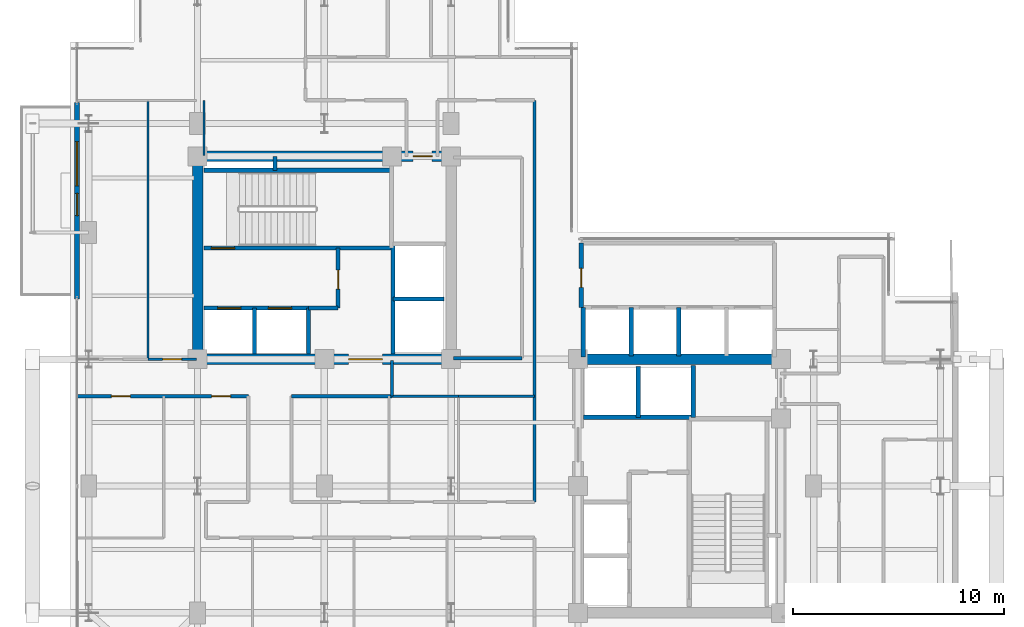
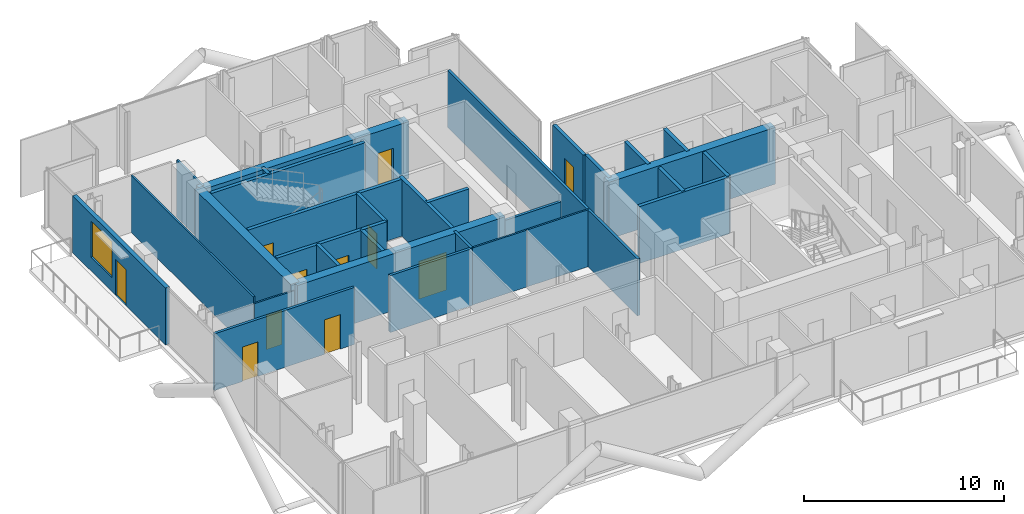
# One storey, part 21 of 26: 32 walls, 11 doors, 1 window, 12 openings.
"""IFC4 building model written with IfcOpenShell, lengths in metres."""

from ifc_helpers import new_model, si_unit, direction, frame, frame_2d, origin, place, context, subcontext, project, spatial, rectangle, extrude, material, layer, layer_set, type_object, element, fill, save


model = new_model("IFC4")

# Units and contexts
model_context = context("Model", 3, precision=1e-05, world=origin(), true_north=direction((0.0, 1.0)))
body_context = subcontext(model_context, "Body", "Model", "MODEL_VIEW")
ifc_project = project(units=[si_unit("LENGTHUNIT", "METRE"), si_unit("AREAUNIT", "SQUARE_METRE"), si_unit("VOLUMEUNIT", "CUBIC_METRE"), si_unit("PLANEANGLEUNIT", "RADIAN"), si_unit("MASSUNIT", "GRAM", prefix="KILO"), si_unit("THERMODYNAMICTEMPERATUREUNIT", "KELVIN"), si_unit("POWERUNIT", "WATT")], contexts=[model_context])

# Site, building, storey
site_placement = place(None, origin())
site = spatial("IfcSite", under=ifc_project, at=site_placement, CompositionType="ELEMENT")
building_placement = place(site_placement, origin())
building = spatial("IfcBuilding", under=site, at=building_placement, Name="Svarakhadi Broadcast Tower", CompositionType="ELEMENT")
storey_placement = place(building_placement, frame((0.0, 0.0, 195.449951171875)))
storey = spatial("IfcBuildingStorey", under=building, at=storey_placement, Name="L48", CompositionType="ELEMENT", Elevation=195.449951171875)

# Wall, openings, door, window
ifc_material_1 = material(Name="Concrete C40/50 (IS 456 M50)", Category="concrete")
ifc_layer_1 = layer(ifc_material_1, 0.239990234375)
ifc_layer_set_1 = layer_set([ifc_layer_1], Name="Concrete C40/50 (IS 456 M50)")
wall_type_1 = type_object("IfcWallType", Name="Wall_Ext_240", PredefinedType="SOLIDWALL", material=ifc_layer_set_1)
wall_1_placement = place(storey_placement, frame((0.300048828125, 20.85498046875, 0.0), z_axis=(0.0, 0.0, 1.0), x_axis=(0.0, 1.0, 0.0)))
wall_1 = element("IfcWall", 1, at=wall_1_placement, inside=storey, type_object=wall_type_1, Name="L48 West Tree Balcony Spandrel Wall", PredefinedType="SOLIDWALL", context=body_context, shape_type="SweptSolid", body=[
    extrude(rectangle(XDim=9.2900390625, YDim=0.239990234375, at=frame_2d((4.64501953125, 0.0))), origin(), (0.0, 0.0, 1.0), 3.47509765625),
])
opening_1_placement = place(wall_1_placement, frame((3.945068359375, 0.0, 0.0)))
opening_1 = element("IfcOpeningElement", 2, at=opening_1_placement, cuts=wall_1, Name="Opening ED-05", PredefinedType="OPENING", context=body_context, shape_type="SweptSolid", body=[
    extrude(rectangle(XDim=1.050048828125, YDim=2.199951171875, at=frame_2d((0.52490234375, 1.10009765625))), frame((0.0, 0.1298828125, 0.0), z_axis=(0.0, -1.0, 0.0), x_axis=(1.0, 0.0, 0.0)), (0.0, 0.0, 1.0), 0.260009765625),
])
opening_2_placement = place(wall_1_placement, frame((5.344970703125, 0.0, 0.85009765625)))
opening_2 = element("IfcOpeningElement", 3, at=opening_2_placement, cuts=wall_1, Name="Opening WN-06", PredefinedType="OPENING", context=body_context, shape_type="SweptSolid", body=[
    extrude(rectangle(XDim=2.10009765625, YDim=2.199951171875, at=frame_2d((1.050048828125, 1.10009765625))), frame((0.0, 0.1298828125, 0.0), z_axis=(0.0, -1.0, 0.0), x_axis=(1.0, 0.0, 0.0)), (0.0, 0.0, 1.0), 0.260009765625),
])
ifc_material_2 = material(Name="Anodised Bronze Aluminium AA 6063-T6", Category="aluminium")
door_type_1 = type_object("IfcDoorType", Name="Door_Ext_ED05", OperationType="SINGLE_SWING_LEFT", PredefinedType="DOOR", material=ifc_material_2)
door_1_placement = place(opening_1_placement, origin())
door_1 = element("IfcDoor", 4, at=door_1_placement, inside=storey, type_object=door_type_1, Name="L48 West Tree Balcony Door", OperationType="SINGLE_SWING_LEFT", OverallHeight=2.199951171875, OverallWidth=1.050048828125, PredefinedType="DOOR", context=body_context, shape_type="SweptSolid", body=[
    extrude(rectangle(XDim=1.050048828125, YDim=2.199951171875, at=frame_2d((0.52490234375, 1.10009765625))), frame((0.0, 0.02490234375, 0.0), z_axis=(0.0, -1.0, 0.0), x_axis=(1.0, 0.0, 0.0)), (0.0, 0.0, 1.0), 0.050048828125),
])
fill(opening_1, door_1)
ifc_material_3 = material(Name="Double Low-E Laminated Acoustic Glass IGU 36 mm", Category="glass")
window_type = type_object("IfcWindowType", Name="Win_Hotel_WN06", PartitioningType="SINGLE_PANEL", PredefinedType="WINDOW", material=ifc_material_3)
window_placement = place(opening_2_placement, origin())
window = element("IfcWindow", 5, at=window_placement, inside=storey, type_object=window_type, Name="L48 West Tree Balcony Window", OverallHeight=2.199951171875, OverallWidth=2.10009765625, PartitioningType="SINGLE_PANEL", PredefinedType="WINDOW", context=body_context, shape_type="SweptSolid", body=[
    extrude(rectangle(XDim=2.10009765625, YDim=2.199951171875, at=frame_2d((1.050048828125, 1.10009765625))), frame((0.0, 0.030029296875, 0.0), z_axis=(0.0, -1.0, 0.0), x_axis=(1.0, 0.0, 0.0)), (0.0, 0.0, 1.0), 0.06005859375),
])
fill(opening_2, window)

# Walls
ifc_layer_2 = layer(ifc_material_1, 0.199951171875)
ifc_layer_set_2 = layer_set([ifc_layer_2], Name="Concrete C40/50 (IS 456 M50)")
wall_type_2 = type_object("IfcWallType", Name="Wall_Fire_200", PredefinedType="SOLIDWALL", material=ifc_layer_set_2)
wall_2_placement = place(storey_placement, frame((9.659912109375, 26.93994140625, 0.0), z_axis=(0.0, 0.0, 1.0), x_axis=(0.0, 1.0, 0.0)))
element("IfcWall", 6, at=wall_2_placement, inside=storey, type_object=wall_type_2, Name="L48 Wet Riser Shaft East Wall", PredefinedType="SOLIDWALL", context=body_context, shape_type="SweptSolid", body=[
    extrude(rectangle(XDim=0.64013671875, YDim=0.199951171875, at=frame_2d((0.320068359375, 0.0))), origin(), (0.0, 0.0, 1.0), 3.47509765625),
])
ifc_material_4 = material(Name="Fire-Rated Moisture-Resistant Gypsum Board Partition", Category="gypsum")
ifc_layer_3 = layer(ifc_material_4, 0.10009765625)
ifc_layer_set_3 = layer_set([ifc_layer_3], Name="Fire-Rated Moisture-Resistant Gypsum Board Partition")
wall_type_3 = type_object("IfcWallType", Name="Wall_Part_100", PredefinedType="PARTITIONING", material=ifc_layer_set_3)
wall_3_placement = place(storey_placement, frame((15.199951171875, 16.25, 0.0), z_axis=(0.0, 0.0, 1.0), x_axis=(1.0, 0.0, 0.0)))
element("IfcWall", 7, at=wall_3_placement, inside=storey, type_object=wall_type_3, Name="L48 Editorial Review Booth Wall", PredefinedType="PARTITIONING", context=body_context, shape_type="SweptSolid", body=[
    extrude(rectangle(XDim=3.150146484375, YDim=0.10009765625, at=frame_2d((1.5751953125, 0.0))), origin(), (0.0, 0.0, 1.0), 3.47509765625),
])
wall_4_placement = place(storey_placement, frame((18.35009765625, 16.25, 0.0), z_axis=(0.0, 0.0, 1.0), x_axis=(1.0, 0.0, 0.0)))
element("IfcWall", 8, at=wall_4_placement, inside=storey, type_object=wall_type_3, Name="L48 Accessible Floor Washroom WC Wall", PredefinedType="PARTITIONING", context=body_context, shape_type="SweptSolid", body=[
    extrude(rectangle(XDim=3.599853515625, YDim=0.10009765625, at=frame_2d((1.7998046875, 0.0))), origin(), (0.0, 0.0, 1.0), 3.47509765625),
])
wall_5_placement = place(storey_placement, frame((3.64990234375, 18.0, 0.0), z_axis=(0.0, 0.0, 1.0), x_axis=(0.0, 1.0, 0.0)))
element("IfcWall", 9, at=wall_5_placement, inside=storey, type_object=wall_type_3, Name="L48 Wellness Relaxation Alcove Wall", PredefinedType="PARTITIONING", context=body_context, shape_type="SweptSolid", body=[
    extrude(rectangle(XDim=12.25, YDim=0.10009765625, at=frame_2d((6.125, 0.0))), origin(), (0.0, 0.0, 1.0), 3.47509765625),
])

# Wall, opening, door
wall_6_placement = place(storey_placement, frame((3.64990234375, 18.0, 0.0), z_axis=(0.0, 0.0, 1.0), x_axis=(1.0, 0.0, 0.0)))
wall_6 = element("IfcWall", 10, at=wall_6_placement, inside=storey, type_object=wall_type_3, Name="L48 Herbal Tea Consultation Room Wall", PredefinedType="PARTITIONING", context=body_context, shape_type="SweptSolid", body=[
    extrude(rectangle(XDim=2.300048828125, YDim=0.10009765625, at=frame_2d((1.14990234375, 0.0))), origin(), (0.0, 0.0, 1.0), 3.067138671875),
])
opening_3_placement = place(wall_6_placement, frame((0.699951171875, 0.0, 0.0)))
opening_3 = element("IfcOpeningElement", 11, at=opening_3_placement, cuts=wall_6, Name="Opening D-14", PredefinedType="OPENING", context=body_context, shape_type="SweptSolid", body=[
    extrude(rectangle(XDim=0.89990234375, YDim=2.10009765625, at=frame_2d((0.449951171875, 1.050048828125))), frame((0.0, 0.06005859375, 0.0), z_axis=(0.0, -1.0, 0.0), x_axis=(1.0, 0.0, 0.0)), (0.0, 0.0, 1.0), 0.1201171875),
])
ifc_material_5 = material(Name="Solid-Core Teak Veneer Acoustic Timber Leaf", Category="wood")
door_type_2 = type_object("IfcDoorType", Name="Door_Int_D14", OperationType="SINGLE_SWING_LEFT", PredefinedType="DOOR", material=ifc_material_5)
door_2_placement = place(opening_3_placement, origin())
door_2 = element("IfcDoor", 12, at=door_2_placement, inside=storey, type_object=door_type_2, Name="L48 Herbal Tea Consultation Room Door", OperationType="SINGLE_SWING_LEFT", OverallHeight=2.10009765625, OverallWidth=0.89990234375, PredefinedType="DOOR", context=body_context, shape_type="SweptSolid", body=[
    extrude(rectangle(XDim=0.89990234375, YDim=2.10009765625, at=frame_2d((0.449951171875, 1.050048828125))), frame((0.0, 0.02490234375, 0.0), z_axis=(0.0, -1.0, 0.0), x_axis=(1.0, 0.0, 0.0)), (0.0, 0.0, 1.0), 0.050048828125),
])
fill(opening_3, door_2)

# Wall
wall_7_placement = place(storey_placement, frame((6.300048828125, 27.64990234375, 0.0), z_axis=(0.0, 0.0, 1.0), x_axis=(0.0, 1.0, 0.0)))
element("IfcWall", 13, at=wall_7_placement, inside=storey, type_object=wall_type_3, Name="L48 Guest Library Study Wall", PredefinedType="PARTITIONING", context=body_context, shape_type="SweptSolid", body=[
    extrude(rectangle(XDim=2.60009765625, YDim=0.10009765625, at=frame_2d((1.300048828125, 0.0))), origin(), (0.0, 0.0, 1.0), 3.47509765625),
])

# Wall, openings, doors
ifc_material_6 = material(Name="Autoclaved Aerated Concrete Blockwork 150 mm", Category="masonry")
ifc_layer_4 = layer(ifc_material_6, 0.14990234375)
ifc_layer_set_4 = layer_set([ifc_layer_4], Name="Autoclaved Aerated Concrete Blockwork 150 mm")
wall_type_4 = type_object("IfcWallType", Name="Wall_Part_150", PredefinedType="PARTITIONING", material=ifc_layer_set_4)
wall_8_placement = place(storey_placement, frame((8.39990234375, 16.25, 0.0), z_axis=(0.0, 0.0, 1.0), x_axis=(-1.0, 0.0, 0.0)))
wall_8 = element("IfcWall", 14, at=wall_8_placement, inside=storey, type_object=wall_type_4, Name="L48 Zone 2/3 Corridor Wall", PredefinedType="PARTITIONING", context=body_context, shape_type="SweptSolid", body=[
    extrude(rectangle(XDim=8.099853515625, YDim=0.14990234375, at=frame_2d((4.0498046875, 0.0))), origin(), (0.0, 0.0, 1.0), 3.47509765625),
])
opening_4_placement = place(wall_8_placement, frame((5.574951171875, 0.0, 0.0)))
opening_4 = element("IfcOpeningElement", 15, at=opening_4_placement, cuts=wall_8, Name="Opening D-15", PredefinedType="OPENING", context=body_context, shape_type="SweptSolid", body=[
    extrude(rectangle(XDim=0.89990234375, YDim=2.10009765625, at=frame_2d((0.449951171875, 1.050048828125))), frame((0.0, 0.0849609375, 0.0), z_axis=(0.0, -1.0, 0.0), x_axis=(1.0, 0.0, 0.0)), (0.0, 0.0, 1.0), 0.169921875),
])
opening_5_placement = place(wall_8_placement, frame((0.830078125, 0.0, 0.0)))
opening_5 = element("IfcOpeningElement", 16, at=opening_5_placement, cuts=wall_8, Name="Opening D-12", PredefinedType="OPENING", context=body_context, shape_type="SweptSolid", body=[
    extrude(rectangle(XDim=0.89990234375, YDim=2.10009765625, at=frame_2d((0.449951171875, 1.050048828125))), frame((0.0, 0.0849609375, 0.0), z_axis=(0.0, -1.0, 0.0), x_axis=(1.0, 0.0, 0.0)), (0.0, 0.0, 1.0), 0.169921875),
])
door_type_3 = type_object("IfcDoorType", Name="Door_Int_D15", OperationType="SINGLE_SWING_RIGHT", PredefinedType="DOOR", material=ifc_material_5)
door_3_placement = place(opening_4_placement, origin())
door_3 = element("IfcDoor", 17, at=door_3_placement, inside=storey, type_object=door_type_3, Name="L48 Aromatherapy Treatment Room Door", OperationType="SINGLE_SWING_RIGHT", OverallHeight=2.10009765625, OverallWidth=0.89990234375, PredefinedType="DOOR", context=body_context, shape_type="SweptSolid", body=[
    extrude(rectangle(XDim=0.89990234375, YDim=2.10009765625, at=frame_2d((0.449951171875, 1.050048828125))), frame((0.0, 0.02490234375, 0.0), z_axis=(0.0, -1.0, 0.0), x_axis=(1.0, 0.0, 0.0)), (0.0, 0.0, 1.0), 0.050048828125),
])
fill(opening_4, door_3)
door_type_4 = type_object("IfcDoorType", Name="Door_WC_D01", OperationType="SINGLE_SWING_LEFT", PredefinedType="DOOR", material=ifc_material_5)
door_4_placement = place(opening_5_placement, origin())
door_4 = element("IfcDoor", 18, at=door_4_placement, inside=storey, type_object=door_type_4, Name="L48 Herbal Aromatherapy Studio Door", OperationType="SINGLE_SWING_LEFT", OverallHeight=2.10009765625, OverallWidth=0.89990234375, PredefinedType="DOOR", context=body_context, shape_type="SweptSolid", body=[
    extrude(rectangle(XDim=0.89990234375, YDim=2.10009765625, at=frame_2d((0.449951171875, 1.050048828125))), frame((0.0, 0.02490234375, 0.0), z_axis=(0.0, -1.0, 0.0), x_axis=(1.0, 0.0, 0.0)), (0.0, 0.0, 1.0), 0.050048828125),
])
fill(opening_5, door_4)

# Walls
wall_9_placement = place(storey_placement, frame((15.199951171875, 17.949951171875, 0.0), z_axis=(0.0, 0.0, 1.0), x_axis=(0.0, -1.0, 0.0)))
element("IfcWall", 19, at=wall_9_placement, inside=storey, type_object=wall_type_4, Name="L48 Zone 2/3 Corridor Wall", PredefinedType="PARTITIONING", context=body_context, shape_type="SweptSolid", body=[
    extrude(rectangle(XDim=1.699951171875, YDim=0.14990234375, at=frame_2d((0.85009765625, 0.0))), origin(), (0.0, 0.0, 1.0), 3.47509765625),
])
wall_10_placement = place(storey_placement, frame((15.199951171875, 16.25, 0.0), z_axis=(0.0, 0.0, 1.0), x_axis=(-1.0, 0.0, 0.0)))
element("IfcWall", 20, at=wall_10_placement, inside=storey, type_object=wall_type_4, Name="L48 Zone 2/3 Corridor Wall", PredefinedType="PARTITIONING", context=body_context, shape_type="SweptSolid", body=[
    extrude(rectangle(XDim=4.75, YDim=0.14990234375, at=frame_2d((2.375, 0.0))), origin(), (0.0, 0.0, 1.0), 3.47509765625),
])
wall_11_placement = place(storey_placement, frame((21.949951171875, 11.25, 0.0), z_axis=(0.0, 0.0, 1.0), x_axis=(0.0, 1.0, 0.0)))
element("IfcWall", 21, at=wall_11_placement, inside=storey, type_object=wall_type_4, Name="L48 Zone 2/3 Corridor Wall", PredefinedType="PARTITIONING", context=body_context, shape_type="SweptSolid", body=[
    extrude(rectangle(XDim=19.0, YDim=0.14990234375, at=frame_2d((9.5, 0.0))), origin(), (0.0, 0.0, 1.0), 3.47509765625),
])
wall_12_placement = place(storey_placement, frame((18.10009765625, 18.050048828125, 0.0), z_axis=(0.0, 0.0, 1.0), x_axis=(1.0, 0.0, 0.0)))
element("IfcWall", 22, at=wall_12_placement, inside=storey, type_object=wall_type_4, Name="L48 Hotel Floor Butler Service Pantry Wall", PredefinedType="PARTITIONING", context=body_context, shape_type="SweptSolid", body=[
    extrude(rectangle(XDim=3.25, YDim=0.14990234375, at=frame_2d((1.625, 0.0))), origin(), (0.0, 0.0, 1.0), 3.067138671875),
])

# Wall, opening, door
ifc_material_7 = material(Name="Concrete C50/60 (IS 456 M60)", Category="concrete")
ifc_layer_5 = layer(ifc_material_7, 0.199951171875)
ifc_layer_set_5 = layer_set([ifc_layer_5], Name="Concrete C50/60 (IS 456 M60)")
wall_type_5 = type_object("IfcWallType", Name="Wall_Shear_200", PredefinedType="SHEAR", material=ifc_layer_set_5)
wall_13_placement = place(storey_placement, frame((6.300048828125, 23.260009765625, 0.0), z_axis=(0.0, 0.0, 1.0), x_axis=(1.0, 0.0, 0.0)))
wall_13 = element("IfcWall", 23, at=wall_13_placement, inside=storey, type_object=wall_type_5, Name="L48 Stair ST-01 South RC Shaft Wall", PredefinedType="SHEAR", context=body_context, shape_type="SweptSolid", body=[
    extrude(rectangle(XDim=8.8798828125, YDim=0.199951171875, at=frame_2d((4.43994140625, 0.0))), origin(), (0.0, 0.0, 1.0), 3.47509765625),
])
opening_6_placement = place(wall_13_placement, frame((0.35009765625, 0.0, 0.0)))
opening_6 = element("IfcOpeningElement", 24, at=opening_6_placement, cuts=wall_13, Name="Opening D-01", PredefinedType="OPENING", context=body_context, shape_type="SweptSolid", body=[
    extrude(rectangle(XDim=1.10009765625, YDim=2.199951171875, at=frame_2d((0.550048828125, 1.10009765625))), frame((0.0, 0.10986328125, 0.0), z_axis=(0.0, -1.0, 0.0), x_axis=(1.0, 0.0, 0.0)), (0.0, 0.0, 1.0), 0.219970703125),
])
ifc_material_8 = material(Name="Galvanised Powder-Coated Fire-Rated Steel Leaf", Category="steel")
door_type_5 = type_object("IfcDoorType", Name="Door_Stair_D01", OperationType="SINGLE_SWING_LEFT", PredefinedType="DOOR", material=ifc_material_8)
door_5_placement = place(opening_6_placement, origin())
door_5 = element("IfcDoor", 25, at=door_5_placement, inside=storey, type_object=door_type_5, Name="L48 Protected Exit Stair ST-01 Fire Door", OperationType="SINGLE_SWING_LEFT", OverallHeight=2.199951171875, OverallWidth=1.10009765625, PredefinedType="DOOR", context=body_context, shape_type="SweptSolid", body=[
    extrude(rectangle(XDim=1.10009765625, YDim=2.199951171875, at=frame_2d((0.550048828125, 1.10009765625))), frame((0.0, 0.02490234375, 0.0), z_axis=(0.0, -1.0, 0.0), x_axis=(1.0, 0.0, 0.0)), (0.0, 0.0, 1.0), 0.050048828125),
])
fill(opening_6, door_5)

# Wall
wall_14_placement = place(storey_placement, frame((6.300048828125, 26.93994140625, 0.0), z_axis=(0.0, 0.0, 1.0), x_axis=(1.0, 0.0, 0.0)))
element("IfcWall", 26, at=wall_14_placement, inside=storey, type_object=wall_type_5, Name="L48 Stair ST-01 North RC Shaft Wall", PredefinedType="SHEAR", context=body_context, shape_type="SweptSolid", body=[
    extrude(rectangle(XDim=8.8798828125, YDim=0.199951171875, at=frame_2d((4.43994140625, 0.0))), origin(), (0.0, 0.0, 1.0), 3.47509765625),
])

# Wall, openings, doors
wall_15_placement = place(storey_placement, frame((6.300048828125, 20.419921875, 0.0), z_axis=(0.0, 0.0, 1.0), x_axis=(1.0, 0.0, 0.0)))
wall_15 = element("IfcWall", 27, at=wall_15_placement, inside=storey, type_object=wall_type_5, Name="L48 Firefighting Lift LF-01/02 Shaft Wall", PredefinedType="SHEAR", context=body_context, shape_type="SweptSolid", body=[
    extrude(rectangle(XDim=4.949951171875, YDim=0.199951171875, at=frame_2d((2.47509765625, 0.0))), origin(), (0.0, 0.0, 1.0), 3.47509765625),
])
opening_7_placement = place(wall_15_placement, frame((0.64990234375, 0.0, 0.0)))
opening_7 = element("IfcOpeningElement", 28, at=opening_7_placement, cuts=wall_15, Name="Opening LD-01", PredefinedType="OPENING", context=body_context, shape_type="SweptSolid", body=[
    extrude(rectangle(XDim=1.10009765625, YDim=2.199951171875, at=frame_2d((0.550048828125, 1.10009765625))), frame((0.0, 0.10986328125, 0.0), z_axis=(0.0, -1.0, 0.0), x_axis=(1.0, 0.0, 0.0)), (0.0, 0.0, 1.0), 0.219970703125),
])
opening_8_placement = place(wall_15_placement, frame((3.050048828125, 0.0, 0.0)))
opening_8 = element("IfcOpeningElement", 29, at=opening_8_placement, cuts=wall_15, Name="Opening LD-01", PredefinedType="OPENING", context=body_context, shape_type="SweptSolid", body=[
    extrude(rectangle(XDim=1.10009765625, YDim=2.199951171875, at=frame_2d((0.550048828125, 1.10009765625))), frame((0.0, 0.10986328125, 0.0), z_axis=(0.0, -1.0, 0.0), x_axis=(1.0, 0.0, 0.0)), (0.0, 0.0, 1.0), 0.219970703125),
])
door_type_6 = type_object("IfcDoorType", Name="Door_Lift_LD01", OperationType="SLIDING_TO_LEFT", PredefinedType="DOOR", material=ifc_material_8)
door_6_placement = place(opening_7_placement, origin())
door_6 = element("IfcDoor", 30, at=door_6_placement, inside=storey, type_object=door_type_6, Name="L48 Firefighting Lift LF-01 Landing Door", OperationType="SLIDING_TO_LEFT", OverallHeight=2.199951171875, OverallWidth=1.10009765625, PredefinedType="DOOR", context=body_context, shape_type="SweptSolid", body=[
    extrude(rectangle(XDim=1.10009765625, YDim=2.199951171875, at=frame_2d((0.550048828125, 1.10009765625))), frame((0.0, 0.02490234375, 0.0), z_axis=(0.0, -1.0, 0.0), x_axis=(1.0, 0.0, 0.0)), (0.0, 0.0, 1.0), 0.050048828125),
])
fill(opening_7, door_6)
door_7_placement = place(opening_8_placement, origin())
door_7 = element("IfcDoor", 31, at=door_7_placement, inside=storey, type_object=door_type_6, Name="L48 Firefighting Lift LF-02 Landing Door", OperationType="SLIDING_TO_LEFT", OverallHeight=2.199951171875, OverallWidth=1.10009765625, PredefinedType="DOOR", context=body_context, shape_type="SweptSolid", body=[
    extrude(rectangle(XDim=1.10009765625, YDim=2.199951171875, at=frame_2d((0.550048828125, 1.10009765625))), frame((0.0, 0.02490234375, 0.0), z_axis=(0.0, -1.0, 0.0), x_axis=(1.0, 0.0, 0.0)), (0.0, 0.0, 1.0), 0.050048828125),
])
fill(opening_8, door_7)

# Walls
for number, where, z_axis, x_axis, name in (
    (32, (8.699951171875, 18.25, 0.0), (0.0, 0.0, 1.0), (0.0, 1.0, 0.0), "L48 Firefighting Lift LF-01/02 Divider Wall"),
    (33, (11.25, 18.25, 0.0), (0.0, 0.0, 1.0), (0.0, 1.0, 0.0), "L48 Firefighting Lift LF-02 East Wall"),
):
    element("IfcWall", number, at=place(storey_placement, frame(where, z_axis=z_axis, x_axis=x_axis)), inside=storey, type_object=wall_type_5, Name=name, PredefinedType="SHEAR", context=body_context, shape_type="SweptSolid", body=[
        extrude(rectangle(XDim=2.169921875, YDim=0.199951171875, at=frame_2d((1.0849609375, 0.0))), origin(), (0.0, 0.0, 1.0), 3.47509765625),
    ])
wall_16_placement = place(storey_placement, frame((11.25, 20.419921875, 0.0), z_axis=(0.0, 0.0, 1.0), x_axis=(1.0, 0.0, 0.0)))
element("IfcWall", 34, at=wall_16_placement, inside=storey, type_object=wall_type_5, Name="L48 West Firefighting Lobby South Wall", PredefinedType="SHEAR", context=body_context, shape_type="SweptSolid", body=[
    extrude(rectangle(XDim=1.39990234375, YDim=0.199951171875, at=frame_2d((0.699951171875, 0.0))), origin(), (0.0, 0.0, 1.0), 3.47509765625),
])

# Wall, opening, door
wall_17_placement = place(storey_placement, frame((12.64990234375, 20.419921875, 0.0), z_axis=(0.0, 0.0, 1.0), x_axis=(0.0, 1.0, 0.0)))
wall_17 = element("IfcWall", 35, at=wall_17_placement, inside=storey, type_object=wall_type_5, Name="L48 West Firefighting Lobby East Wall", PredefinedType="SHEAR", context=body_context, shape_type="SweptSolid", body=[
    extrude(rectangle(XDim=2.840087890625, YDim=0.199951171875, at=frame_2d((1.419921875, 0.0))), origin(), (0.0, 0.0, 1.0), 3.47509765625),
])
opening_9_placement = place(wall_17_placement, frame((0.89990234375, 0.0, 0.0)))
opening_9 = element("IfcOpeningElement", 36, at=opening_9_placement, cuts=wall_17, Name="Opening D-03", PredefinedType="OPENING", context=body_context, shape_type="SweptSolid", body=[
    extrude(rectangle(XDim=0.89990234375, YDim=2.14990234375, at=frame_2d((0.449951171875, 1.074951171875))), frame((0.0, 0.10986328125, 0.0), z_axis=(0.0, -1.0, 0.0), x_axis=(1.0, 0.0, 0.0)), (0.0, 0.0, 1.0), 0.219970703125),
])
door_type_7 = type_object("IfcDoorType", Name="Door_Fire_D03", OperationType="SINGLE_SWING_LEFT", PredefinedType="DOOR", material=ifc_material_8)
door_8_placement = place(opening_9_placement, origin())
door_8 = element("IfcDoor", 37, at=door_8_placement, inside=storey, type_object=door_type_7, Name="L48 West Firefighting Lobby Fire Door", OperationType="SINGLE_SWING_LEFT", OverallHeight=2.14990234375, OverallWidth=0.89990234375, PredefinedType="DOOR", context=body_context, shape_type="SweptSolid", body=[
    extrude(rectangle(XDim=0.89990234375, YDim=2.14990234375, at=frame_2d((0.449951171875, 1.074951171875))), frame((0.0, 0.02490234375, 0.0), z_axis=(0.0, -1.0, 0.0), x_axis=(1.0, 0.0, 0.0)), (0.0, 0.0, 1.0), 0.050048828125),
])
fill(opening_9, door_8)

# Walls
wall_18_placement = place(storey_placement, frame((15.25, 18.25, 0.0), z_axis=(0.0, 0.0, 1.0), x_axis=(0.0, 1.0, 0.0)))
element("IfcWall", 38, at=wall_18_placement, inside=storey, type_object=wall_type_5, Name="L48 High-Rise Lift LF-13/14 West Shaft Wall", PredefinedType="SHEAR", context=body_context, shape_type="SweptSolid", body=[
    extrude(rectangle(XDim=5.199951171875, YDim=0.199951171875, at=frame_2d((2.60009765625, 0.0))), origin(), (0.0, 0.0, 1.0), 3.47509765625),
])
wall_19_placement = place(storey_placement, frame((15.25, 20.85009765625, 0.0), z_axis=(0.0, 0.0, 1.0), x_axis=(1.0, 0.0, 0.0)))
element("IfcWall", 39, at=wall_19_placement, inside=storey, type_object=wall_type_5, Name="L48 High-Rise Lift LF-13/14 Divider", PredefinedType="SHEAR", context=body_context, shape_type="SweptSolid", body=[
    extrude(rectangle(XDim=2.39990234375, YDim=0.199951171875, at=frame_2d((1.199951171875, 0.0))), origin(), (0.0, 0.0, 1.0), 3.47509765625),
])
wall_20_placement = place(storey_placement, frame((24.25, 15.25, 0.0), z_axis=(0.0, 0.0, 1.0), x_axis=(1.0, 0.0, 0.0)))
element("IfcWall", 40, at=wall_20_placement, inside=storey, type_object=wall_type_5, Name="L48 High-Rise Lift LF-15/16 South Shaft Wall", PredefinedType="SHEAR", context=body_context, shape_type="SweptSolid", body=[
    extrude(rectangle(XDim=5.199951171875, YDim=0.199951171875, at=frame_2d((2.60009765625, 0.0))), origin(), (0.0, 0.0, 1.0), 3.47509765625),
])
wall_21_placement = place(storey_placement, frame((26.85009765625, 15.25, 0.0), z_axis=(0.0, 0.0, 1.0), x_axis=(0.0, 1.0, 0.0)))
element("IfcWall", 41, at=wall_21_placement, inside=storey, type_object=wall_type_5, Name="L48 High-Rise Lift LF-15/16 Divider", PredefinedType="SHEAR", context=body_context, shape_type="SweptSolid", body=[
    extrude(rectangle(XDim=2.39990234375, YDim=0.199951171875, at=frame_2d((1.199951171875, 0.0))), origin(), (0.0, 0.0, 1.0), 3.47509765625),
])
wall_22_placement = place(storey_placement, frame((29.449951171875, 15.25, 0.0), z_axis=(0.0, 0.0, 1.0), x_axis=(0.0, 1.0, 0.0)))
element("IfcWall", 42, at=wall_22_placement, inside=storey, type_object=wall_type_5, Name="L48 High-Rise Lift LF-15/16 East Wall", PredefinedType="SHEAR", context=body_context, shape_type="SweptSolid", body=[
    extrude(rectangle(XDim=2.449951171875, YDim=0.199951171875, at=frame_2d((1.22509765625, 0.0))), origin(), (0.0, 0.0, 1.0), 3.47509765625),
])
wall_23_placement = place(storey_placement, frame((24.25, 18.10009765625, 0.0), z_axis=(0.0, 0.0, 1.0), x_axis=(0.0, 1.0, 0.0)))
element("IfcWall", 43, at=wall_23_placement, inside=storey, type_object=wall_type_5, Name="L48 Bank B West Shaft Wall", PredefinedType="SHEAR", context=body_context, shape_type="SweptSolid", body=[
    extrude(rectangle(XDim=2.349853515625, YDim=0.199951171875, at=frame_2d((1.1748046875, 0.0))), origin(), (0.0, 0.0, 1.0), 3.47509765625),
])
for number, where, z_axis, x_axis, name in (
    (44, (26.52001953125, 18.14990234375, 0.0), (0.0, 0.0, 1.0), (0.0, 1.0, 0.0), "L48 Bank B Divider"),
    (45, (28.77001953125, 18.14990234375, 0.0), (0.0, 0.0, 1.0), (0.0, 1.0, 0.0), "L48 Bank B Divider"),
):
    element("IfcWall", number, at=place(storey_placement, frame(where, z_axis=z_axis, x_axis=x_axis)), inside=storey, type_object=wall_type_5, Name=name, PredefinedType="SHEAR", context=body_context, shape_type="SweptSolid", body=[
        extrude(rectangle(XDim=2.300048828125, YDim=0.199951171875, at=frame_2d((1.14990234375, 0.0))), origin(), (0.0, 0.0, 1.0), 3.47509765625),
    ])

# Wall, opening, door
wall_24_placement = place(storey_placement, frame((24.14990234375, 20.449951171875, 0.0), z_axis=(0.0, 0.0, 1.0), x_axis=(0.0, 1.0, 0.0)))
wall_24 = element("IfcWall", 46, at=wall_24_placement, inside=storey, type_object=wall_type_5, Name="L48 Bank B Lift Hall West Wall", PredefinedType="SHEAR", context=body_context, shape_type="SweptSolid", body=[
    extrude(rectangle(XDim=3.050048828125, YDim=0.199951171875, at=frame_2d((1.52490234375, 0.0))), origin(), (0.0, 0.0, 1.0), 3.47509765625),
])
opening_10_placement = place(wall_24_placement, frame((0.949951171875, 0.0, 0.0)))
opening_10 = element("IfcOpeningElement", 47, at=opening_10_placement, cuts=wall_24, Name="Opening D-03", PredefinedType="OPENING", context=body_context, shape_type="SweptSolid", body=[
    extrude(rectangle(XDim=0.89990234375, YDim=2.14990234375, at=frame_2d((0.449951171875, 1.074951171875))), frame((0.0, 0.10986328125, 0.0), z_axis=(0.0, -1.0, 0.0), x_axis=(1.0, 0.0, 0.0)), (0.0, 0.0, 1.0), 0.219970703125),
])
door_9_placement = place(opening_10_placement, origin())
door_9 = element("IfcDoor", 48, at=door_9_placement, inside=storey, type_object=door_type_7, Name="L48 Mid-Rise Lift Hall West Corridor Door", OperationType="SINGLE_SWING_LEFT", OverallHeight=2.14990234375, OverallWidth=0.89990234375, PredefinedType="DOOR", context=body_context, shape_type="SweptSolid", body=[
    extrude(rectangle(XDim=0.89990234375, YDim=2.14990234375, at=frame_2d((0.449951171875, 1.074951171875))), frame((0.0, 0.02490234375, 0.0), z_axis=(0.0, -1.0, 0.0), x_axis=(1.0, 0.0, 0.0)), (0.0, 0.0, 1.0), 0.050048828125),
])
fill(opening_10, door_9)

ifc_layer_6 = layer(ifc_material_7, 0.5)
ifc_layer_set_6 = layer_set([ifc_layer_6], Name="Concrete C50/60 (IS 456 M60)")
wall_type_6 = type_object("IfcWallType", Name="Wall_Shear_500", PredefinedType="SHEAR", material=ifc_layer_set_6)
wall_25_placement = place(storey_placement, frame((6.0, 18.0, 0.0), z_axis=(0.0, 0.0, 1.0), x_axis=(1.0, 0.0, 0.0)))
wall_25 = element("IfcWall", 49, at=wall_25_placement, inside=storey, type_object=wall_type_6, Name="L48 West Core South Shear Wall", PredefinedType="SHEAR", context=body_context, shape_type="SweptSolid", body=[
    extrude(rectangle(XDim=12.0, YDim=0.5, at=frame_2d((6.0, 0.0))), origin(), (0.0, 0.0, 1.0), 3.47509765625),
])
opening_11_placement = place(wall_25_placement, frame((7.14990234375, 0.0, 0.0)))
opening_11 = element("IfcOpeningElement", 50, at=opening_11_placement, cuts=wall_25, Name="Opening D-05", PredefinedType="OPENING", context=body_context, shape_type="SweptSolid", body=[
    extrude(rectangle(XDim=1.60009765625, YDim=2.300048828125, at=frame_2d((0.800048828125, 1.14990234375))), frame((0.0, 0.260009765625, 0.0), z_axis=(0.0, -1.0, 0.0), x_axis=(1.0, 0.0, 0.0)), (0.0, 0.0, 1.0), 0.52001953125),
])
door_type_8 = type_object("IfcDoorType", Name="Door_Lobby_D05", OperationType="DOUBLE_DOOR_SLIDING", PredefinedType="DOOR", material=ifc_material_2)
door_10_placement = place(opening_11_placement, origin())
door_10 = element("IfcDoor", 51, at=door_10_placement, inside=storey, type_object=door_type_8, Name="L48 West Core Passenger Lift Lobby Entrance Door", OperationType="DOUBLE_DOOR_SLIDING", OverallHeight=2.300048828125, OverallWidth=1.60009765625, PredefinedType="DOOR", context=body_context, shape_type="SweptSolid", body=[
    extrude(rectangle(XDim=1.60009765625, YDim=2.300048828125, at=frame_2d((0.800048828125, 1.14990234375))), frame((0.0, 0.02490234375, 0.0), z_axis=(0.0, -1.0, 0.0), x_axis=(1.0, 0.0, 0.0)), (0.0, 0.0, 1.0), 0.050048828125),
])
fill(opening_11, door_10)

wall_26_placement = place(storey_placement, frame((6.0, 27.60009765625, 0.0), z_axis=(0.0, 0.0, 1.0), x_axis=(1.0, 0.0, 0.0)))
wall_26 = element("IfcWall", 52, at=wall_26_placement, inside=storey, type_object=wall_type_6, Name="L48 West Core North Shear Wall", PredefinedType="SHEAR", context=body_context, shape_type="SweptSolid", body=[
    extrude(rectangle(XDim=12.0, YDim=0.5, at=frame_2d((6.0, 0.0))), origin(), (0.0, 0.0, 1.0), 3.47509765625),
])
opening_12_placement = place(wall_26_placement, frame((10.199951171875, 0.0, 0.0)))
opening_12 = element("IfcOpeningElement", 53, at=opening_12_placement, cuts=wall_26, Name="Opening D-04", PredefinedType="OPENING", context=body_context, shape_type="SweptSolid", body=[
    extrude(rectangle(XDim=0.89990234375, YDim=2.14990234375, at=frame_2d((0.449951171875, 1.074951171875))), frame((0.0, 0.260009765625, 0.0), z_axis=(0.0, -1.0, 0.0), x_axis=(1.0, 0.0, 0.0)), (0.0, 0.0, 1.0), 0.52001953125),
])
door_type_9 = type_object("IfcDoorType", Name="Door_Fire_D04", OperationType="SINGLE_SWING_RIGHT", PredefinedType="DOOR", material=ifc_material_8)
door_11_placement = place(opening_12_placement, origin())
door_11 = element("IfcDoor", 54, at=door_11_placement, inside=storey, type_object=door_type_9, Name="L48 Core Service Room West Door", OperationType="SINGLE_SWING_RIGHT", OverallHeight=2.14990234375, OverallWidth=0.89990234375, PredefinedType="DOOR", context=body_context, shape_type="SweptSolid", body=[
    extrude(rectangle(XDim=0.89990234375, YDim=2.14990234375, at=frame_2d((0.449951171875, 1.074951171875))), frame((0.0, 0.02490234375, 0.0), z_axis=(0.0, -1.0, 0.0), x_axis=(1.0, 0.0, 0.0)), (0.0, 0.0, 1.0), 0.050048828125),
])
fill(opening_12, door_11)

# Walls
for number, where, z_axis, x_axis, name in (
    (55, (6.0, 18.0, 0.0), (0.0, 0.0, 1.0), (0.0, 1.0, 0.0), "L48 West Core West Shear Wall"),
    (56, (24.0, 18.0, 0.0), (0.0, 0.0, 1.0), (1.0, 0.0, 0.0), "L48 East Core North Shear Wall"),
):
    element("IfcWall", number, at=place(storey_placement, frame(where, z_axis=z_axis, x_axis=x_axis)), inside=storey, type_object=wall_type_6, Name=name, PredefinedType="SHEAR", context=body_context, shape_type="SweptSolid", body=[
        extrude(rectangle(XDim=9.60009765625, YDim=0.5, at=frame_2d((4.800048828125, 0.0))), origin(), (0.0, 0.0, 1.0), 3.47509765625),
    ])

save(model, "model.ifc")
